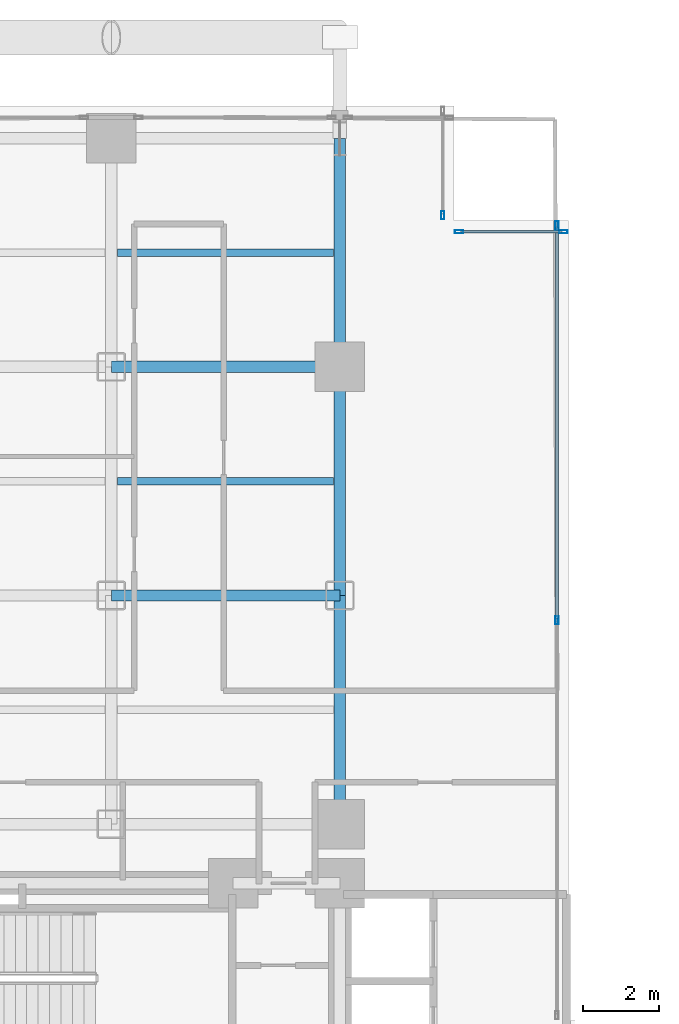
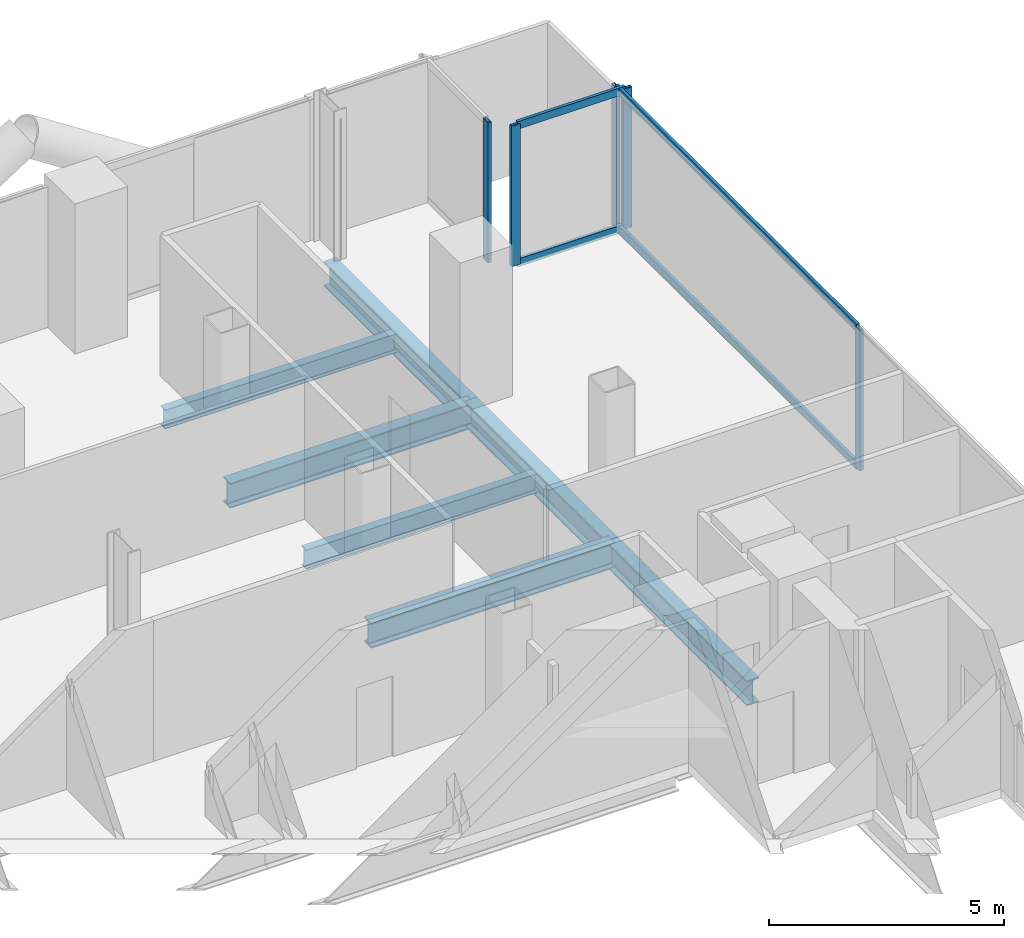
# One storey, part 15 of 25: 9 members, 7 beams, 3 elements without a shape of their own.
"""IFC4 building model written with IfcOpenShell, lengths in metres."""

from ifc_helpers import new_model, si_unit, direction, frame, origin, origin_2d, place, context, subcontext, project, spatial, hollow_rectangle, i_section, extrude, material, layer, layer_set, material_profile, profile_set, type_object, element, aggregate, save


model = new_model("IFC4")

# Units and contexts
model_context = context("Model", 3, precision=1e-05, world=origin(), true_north=direction((0.0, 1.0)))
body_context = subcontext(model_context, "Body", "Model", "MODEL_VIEW")
ifc_project = project(units=[si_unit("LENGTHUNIT", "METRE"), si_unit("AREAUNIT", "SQUARE_METRE"), si_unit("VOLUMEUNIT", "CUBIC_METRE"), si_unit("PLANEANGLEUNIT", "RADIAN"), si_unit("MASSUNIT", "GRAM", prefix="KILO"), si_unit("THERMODYNAMICTEMPERATUREUNIT", "KELVIN"), si_unit("POWERUNIT", "WATT")], contexts=[model_context])

# Site, building, storey
site_placement = place(None, origin())
site = spatial("IfcSite", under=ifc_project, at=site_placement, CompositionType="ELEMENT")
building_placement = place(site_placement, origin())
building = spatial("IfcBuilding", under=site, at=building_placement, Name="Svarakhadi Broadcast Tower", CompositionType="ELEMENT")
storey_placement = place(building_placement, frame((0.0, 0.0, 32.39990234375)))
storey = spatial("IfcBuildingStorey", under=building, at=storey_placement, Name="L06", CompositionType="ELEMENT", Elevation=32.39990234375)

# Beams
ifc_material_1 = material(Name="Steel S355J2 (IS 2062 E350C)", Category="steel")
ifc_material_profile_1 = material_profile(ifc_material_1, i_section(OverallWidth=0.199951171875, OverallDepth=0.5, WebThickness=0.01025390625, FlangeThickness=0.01611328125, FilletRadius=0.02099609375, at=origin_2d()), Name="NPB 500x200x91")
ifc_profile_set_1 = profile_set([ifc_material_profile_1], Name="Steel S355J2 (IS 2062 E350C)")
beam_type_1 = type_object("IfcBeamType", Name="Beam_NPB500", PredefinedType="BEAM", material=ifc_profile_set_1)
for number, where, z_axis, x_axis, name in (
    (1, (12.159912109375, 38.14990234375, -0.5), (1.0, 0.0, 0.0), (0.0, 1.0, 0.0), "L06 Secondary Composite Beam SB017"),
    (2, (12.159912109375, 44.14990234375, -0.5), (1.0, 0.0, 0.0), (0.0, 1.0, 0.0), "L06 Secondary Composite Beam SB018"),
):
    element("IfcBeam", number, at=place(storey_placement, frame(where, z_axis=z_axis, x_axis=x_axis)), inside=storey, type_object=beam_type_1, Name=name, PredefinedType="BEAM", context=body_context, shape_type="SweptSolid", body=[
        extrude(i_section(OverallWidth=0.199951171875, OverallDepth=0.5, WebThickness=0.01025390625, FlangeThickness=0.01611328125, FilletRadius=0.02099609375, at=origin_2d()), origin(), (0.0, 0.0, 1.0), 5.68017578125),
    ])

# Curtain wall, member
ifc_material_2 = material(Name="Anodised Bronze Aluminium AA 6063-T6", Category="aluminium")
ifc_layer = layer(ifc_material_2, 0.219970703125)
ifc_layer_set = layer_set([ifc_layer], Name="Anodised Bronze Aluminium AA 6063-T6")
curtain_wall_type = type_object("IfcCurtainWallType", Name="CW_Sys_02", PredefinedType="NOTDEFINED", material=ifc_layer_set)
curtain_wall_1_placement = place(storey_placement, origin())
curtain_wall_1 = element("IfcCurtainWall", 3, at=curtain_wall_1_placement, inside=storey, type_object=curtain_wall_type, Name="L06 Unitised Facade Curtain Wall 07", PredefinedType="NOTDEFINED")
ifc_material_profile_2 = material_profile(ifc_material_2, hollow_rectangle(XDim=0.0849609375, YDim=0.219970703125, WallThickness=0.006103515625, at=origin_2d()), Name="ALU MULLION 220x85x6")
ifc_profile_set_2 = profile_set([ifc_material_profile_2], Name="Anodised Bronze Aluminium AA 6063-T6")
member_type_1 = type_object("IfcMemberType", Name="CW_Sys_02_Mul", PredefinedType="MULLION", material=ifc_profile_set_2)
member_1_placement = place(storey_placement, frame((20.699951171875, 45.132568359375, 0.0), z_axis=(0.0, 0.0, 1.0), x_axis=(1.0, 0.0, 0.0)))
member_1 = element("IfcMember", 4, at=member_1_placement, type_object=member_type_1, Name="CW-02 mullion 2", PredefinedType="MULLION", context=body_context, shape_type="SweptSolid", body=[
    extrude(hollow_rectangle(XDim=0.0849609375, YDim=0.219970703125, WallThickness=0.006103515625, at=origin_2d()), origin(), (0.0, 0.0, 1.0), 3.650146484375),
])
aggregate(curtain_wall_1, [member_1])

# Curtain wall, members
curtain_wall_2_placement = place(storey_placement, origin())
curtain_wall_2 = element("IfcCurtainWall", 5, at=curtain_wall_2_placement, inside=storey, type_object=curtain_wall_type, Name="L06 Unitised Facade Curtain Wall 08", PredefinedType="NOTDEFINED")
member_2_placement = place(storey_placement, frame((21.132568359375, 44.699951171875, 0.0), z_axis=(0.0, 0.0, 1.0), x_axis=(0.0, 1.0, 0.0)))
member_2 = element("IfcMember", 6, at=member_2_placement, type_object=member_type_1, Name="CW-02 mullion 1", PredefinedType="MULLION", context=body_context, shape_type="SweptSolid", body=[
    extrude(hollow_rectangle(XDim=0.0849609375, YDim=0.219970703125, WallThickness=0.006103515625, at=origin_2d()), origin(), (0.0, 0.0, 1.0), 3.650146484375),
])
member_3_placement = place(storey_placement, frame((23.867431640625, 44.699951171875, 0.0), z_axis=(0.0, 0.0, 1.0), x_axis=(0.0, 1.0, 0.0)))
member_3 = element("IfcMember", 7, at=member_3_placement, type_object=member_type_1, Name="CW-02 mullion 2", PredefinedType="MULLION", context=body_context, shape_type="SweptSolid", body=[
    extrude(hollow_rectangle(XDim=0.0849609375, YDim=0.219970703125, WallThickness=0.006103515625, at=origin_2d()), origin(), (0.0, 0.0, 1.0), 3.650146484375),
])

curtain_wall_3_placement = place(storey_placement, origin())
curtain_wall_3 = element("IfcCurtainWall", 8, at=curtain_wall_3_placement, inside=storey, type_object=curtain_wall_type, Name="L06 Unitised Facade Curtain Wall 09", PredefinedType="NOTDEFINED")
member_4_placement = place(storey_placement, frame((23.699951171875, 44.867431640625, 0.0), z_axis=(0.0, 0.0, 1.0), x_axis=(1.0, 0.0, 0.0)))
member_4 = element("IfcMember", 9, at=member_4_placement, type_object=member_type_1, Name="CW-02 mullion 1", PredefinedType="MULLION", context=body_context, shape_type="SweptSolid", body=[
    extrude(hollow_rectangle(XDim=0.0849609375, YDim=0.219970703125, WallThickness=0.006103515625, at=origin_2d()), origin(), (0.0, 0.0, 1.0), 3.650146484375),
])
member_5_placement = place(storey_placement, frame((23.699951171875, 34.5, 0.0), z_axis=(0.0, 0.0, 1.0), x_axis=(1.0, 0.0, 0.0)))
member_5 = element("IfcMember", 10, at=member_5_placement, type_object=member_type_1, Name="CW-02 mullion 2", PredefinedType="MULLION", context=body_context, shape_type="SweptSolid", body=[
    extrude(hollow_rectangle(XDim=0.0849609375, YDim=0.219970703125, WallThickness=0.006103515625, at=origin_2d()), origin(), (0.0, 0.0, 1.0), 3.650146484375),
])

# Member
ifc_material_profile_3 = material_profile(ifc_material_2, hollow_rectangle(XDim=0.074951171875, YDim=0.199951171875, WallThickness=0.0048828125, at=origin_2d()), Name="ALU TRANSOM 200x75x5")
ifc_profile_set_3 = profile_set([ifc_material_profile_3], Name="Anodised Bronze Aluminium AA 6063-T6")
member_type_2 = type_object("IfcMemberType", Name="CW_Sys_02_Trn", PredefinedType="USERDEFINED", material=ifc_profile_set_3)
member_6_placement = place(storey_placement, frame((21.175048828125, 44.699951171875, 0.03759765625), z_axis=(1.0, 0.0, 0.0), x_axis=(0.0, 1.0, 0.0)))
member_6 = element("IfcMember", 11, at=member_6_placement, type_object=member_type_2, Name="CW-02 transom 1.1", ObjectType="TRANSOM", PredefinedType="USERDEFINED", context=body_context, shape_type="SweptSolid", body=[
    extrude(hollow_rectangle(XDim=0.074951171875, YDim=0.199951171875, WallThickness=0.0048828125, at=origin_2d()), origin(), (0.0, 0.0, 1.0), 2.64990234375),
])

member_7_placement = place(storey_placement, frame((21.175048828125, 44.699951171875, 3.612548828125), z_axis=(1.0, 0.0, 0.0), x_axis=(0.0, 1.0, 0.0)))
member_7 = element("IfcMember", 12, at=member_7_placement, type_object=member_type_2, Name="CW-02 transom 1.2", ObjectType="TRANSOM", PredefinedType="USERDEFINED", context=body_context, shape_type="SweptSolid", body=[
    extrude(hollow_rectangle(XDim=0.074951171875, YDim=0.199951171875, WallThickness=0.0048828125, at=origin_2d()), origin(), (0.0, 0.0, 1.0), 2.64990234375),
])

aggregate(curtain_wall_2, [member_2, member_3, member_6, member_7])

member_8_placement = place(storey_placement, frame((23.699951171875, 44.824951171875, 0.03759765625), z_axis=(0.0, -1.0, 0.0), x_axis=(1.0, 0.0, 0.0)))
member_8 = element("IfcMember", 13, at=member_8_placement, type_object=member_type_2, Name="CW-02 transom 1.1", ObjectType="TRANSOM", PredefinedType="USERDEFINED", context=body_context, shape_type="SweptSolid", body=[
    extrude(hollow_rectangle(XDim=0.074951171875, YDim=0.199951171875, WallThickness=0.0048828125, at=origin_2d()), origin(), (0.0, 0.0, 1.0), 10.282470703125),
])

member_9_placement = place(storey_placement, frame((23.699951171875, 44.824951171875, 3.612548828125), z_axis=(0.0, -1.0, 0.0), x_axis=(1.0, 0.0, 0.0)))
member_9 = element("IfcMember", 14, at=member_9_placement, type_object=member_type_2, Name="CW-02 transom 1.2", ObjectType="TRANSOM", PredefinedType="USERDEFINED", context=body_context, shape_type="SweptSolid", body=[
    extrude(hollow_rectangle(XDim=0.074951171875, YDim=0.199951171875, WallThickness=0.0048828125, at=origin_2d()), origin(), (0.0, 0.0, 1.0), 10.282470703125),
])

aggregate(curtain_wall_3, [member_4, member_5, member_8, member_9])

# Beams
ifc_material_profile_4 = material_profile(ifc_material_1, i_section(OverallWidth=0.300048828125, OverallDepth=0.64990234375, WebThickness=0.01611328125, FlangeThickness=0.031005859375, FilletRadius=0.027099609375, at=origin_2d()), Name="WPB 650x300x225")
ifc_profile_set_4 = profile_set([ifc_material_profile_4], Name="Steel S355J2 (IS 2062 E350C)")
beam_type_2 = type_object("IfcBeamType", Name="Girder_WPB650", PredefinedType="USERDEFINED", material=ifc_profile_set_4)
for number, where, z_axis, x_axis, name in (
    (15, (12.0, 35.14990234375, -0.574951171875), (1.0, 0.0, 0.0), (0.0, 1.0, 0.0), "L06 Primary E-W Girder G039"),
    (16, (12.0, 41.14990234375, -0.574951171875), (1.0, 0.0, 0.0), (0.0, 1.0, 0.0), "L06 Primary E-W Girder G042"),
    (17, (18.0, 29.14990234375, -0.574951171875), (0.0, 1.0, 0.0), (-1.0, 0.0, 0.0), "L06 Primary N-S Girder G068"),
    (18, (18.0, 35.14990234375, -0.574951171875), (0.0, 1.0, 0.0), (-1.0, 0.0, 0.0), "L06 Primary N-S Girder G069"),
    (19, (18.0, 41.14990234375, -0.574951171875), (0.0, 1.0, 0.0), (-1.0, 0.0, 0.0), "L06 Primary N-S Girder G070"),
):
    element("IfcBeam", number, at=place(storey_placement, frame(where, z_axis=z_axis, x_axis=x_axis)), inside=storey, type_object=beam_type_2, Name=name, ObjectType="GIRDER", PredefinedType="USERDEFINED", context=body_context, shape_type="SweptSolid", body=[
        extrude(i_section(OverallWidth=0.300048828125, OverallDepth=0.64990234375, WebThickness=0.01611328125, FlangeThickness=0.031005859375, FilletRadius=0.027099609375, at=origin_2d()), origin(), (0.0, 0.0, 1.0), 6.0),
    ])

save(model, "model.ifc")
